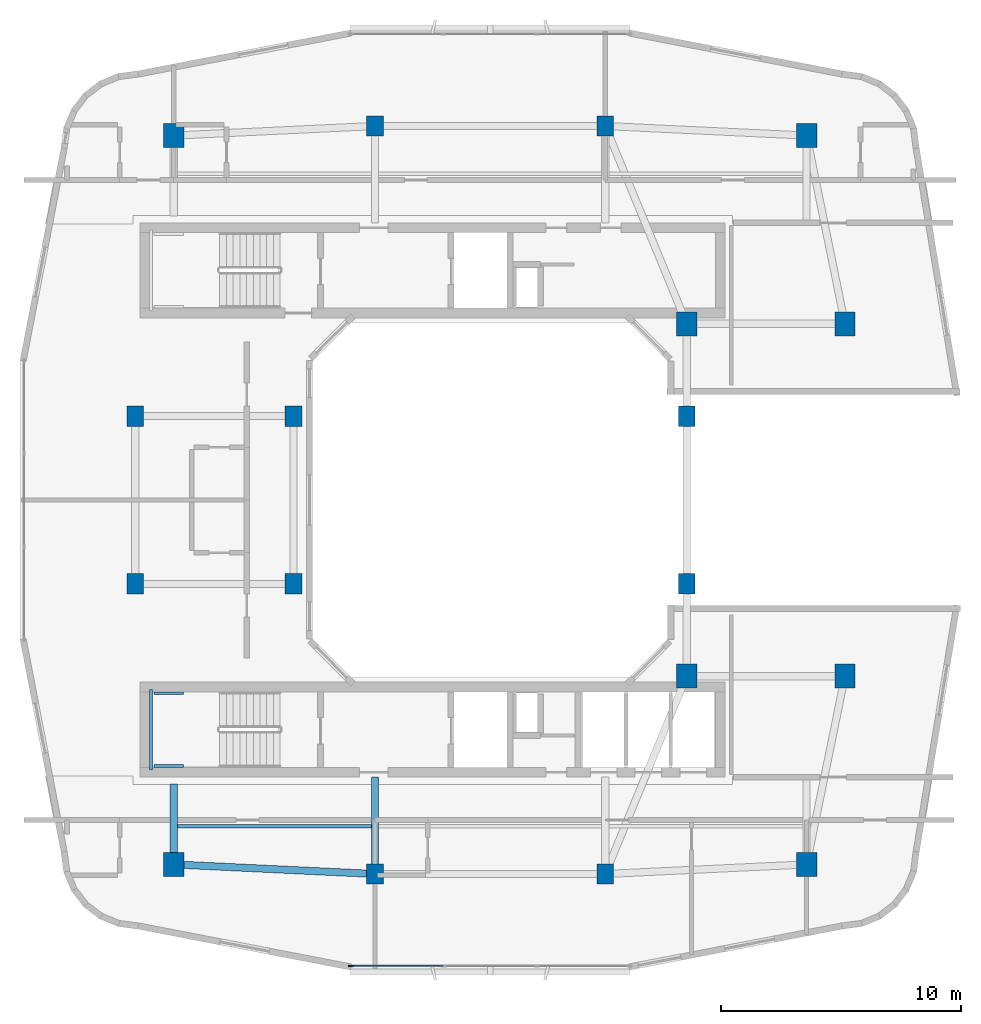
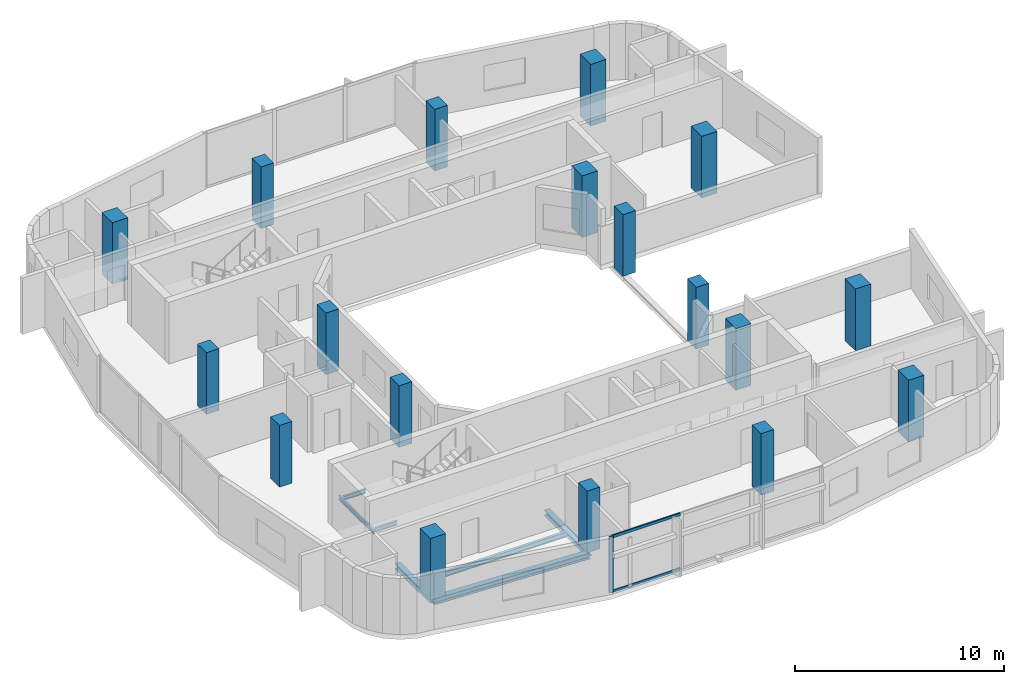
# One storey, part 1 of 12: 18 columns, 7 beams, 3 members, 1 element without a shape of its own.
"""IFC4 building model written with IfcOpenShell, lengths in metres."""

from ifc_helpers import new_model, si_unit, derived_unit, direction, frame, origin, origin_2d, place, context, subcontext, project, spatial, rectangle, i_section, extrude, material, layer, layer_set, material_profile, profile_set, type_object, element, aggregate, save


model = new_model("IFC4")

# Units and contexts
model_context = context("Model", 3, precision=1e-05, world=origin(), true_north=direction((0.0, 1.0)))
body_context = subcontext(model_context, "Body", "Model", "MODEL_VIEW")
ifc_project = project(units=[si_unit("LENGTHUNIT", "METRE"), si_unit("AREAUNIT", "SQUARE_METRE"), si_unit("VOLUMEUNIT", "CUBIC_METRE"), si_unit("PLANEANGLEUNIT", "RADIAN"), si_unit("MASSUNIT", "GRAM", prefix="KILO"), derived_unit("THERMALTRANSMITTANCEUNIT", [(si_unit("POWERUNIT", "WATT"), 1), (si_unit("LENGTHUNIT", "METRE"), -2), (si_unit("THERMODYNAMICTEMPERATUREUNIT", "KELVIN"), -1)])], contexts=[model_context])

# Site, building, storey
site_placement = place(None, origin())
site = spatial("IfcSite", under=ifc_project, at=site_placement, CompositionType="ELEMENT")
building_placement = place(site_placement, origin())
building = spatial("IfcBuilding", under=site, at=building_placement, Name="Kivonza Crest Hotel", CompositionType="ELEMENT")
storey_placement = place(building_placement, frame((0.0, 0.0, 195.5)))
storey = spatial("IfcBuildingStorey", under=building, at=storey_placement, Name="L53", CompositionType="ELEMENT", Elevation=195.5)

# Columns
ifc_material_1 = material(Name="Concrete C50/60", Category="concrete")
ifc_material_profile_1 = material_profile(ifc_material_1, rectangle(XDim=0.85009765625, YDim=1.0, at=origin_2d()), Name="RC 1000x850")
ifc_profile_set_1 = profile_set([ifc_material_profile_1], Name="Concrete C50/60")
column_type_1 = type_object("IfcColumnType", Name="CL-RC-1000x850", PredefinedType="COLUMN", material=ifc_profile_set_1)
for number, where, z_axis, x_axis, name in (
    (1, (7.800048828125, 9.800048828125, 0.0), (0.0, 0.0, 1.0), (1.0, 0.0, 0.0), "Tower T1 L53 column SW"),
    (2, (34.199951171875, 9.800048828125, 0.0), (0.0, 0.0, 1.0), (1.0, 0.0, 0.0), "Tower T1 L53 column SE"),
    (3, (34.199951171875, 40.199951171875, 0.0), (0.0, 0.0, 1.0), (1.0, 0.0, 0.0), "Tower T1 L53 column NE"),
    (4, (7.800048828125, 40.199951171875, 0.0), (0.0, 0.0, 1.0), (1.0, 0.0, 0.0), "Tower T1 L53 column NW"),
    (5, (35.800048828125, 17.64990234375, 0.0), (0.0, 0.0, 1.0), (1.0, 0.0, 0.0), "Tower T1 L53 column PSE"),
    (6, (35.800048828125, 32.35009765625, 0.0), (0.0, 0.0, 1.0), (1.0, 0.0, 0.0), "Tower T1 L53 column PNE"),
    (7, (29.199951171875, 17.64990234375, 0.0), (0.0, 0.0, 1.0), (1.0, 0.0, 0.0), "Tower T1 L53 column TSE"),
    (8, (29.199951171875, 32.35009765625, 0.0), (0.0, 0.0, 1.0), (1.0, 0.0, 0.0), "Tower T1 L53 column TNE"),
):
    element("IfcColumn", number, at=place(storey_placement, frame(where, z_axis=z_axis, x_axis=x_axis)), inside=storey, type_object=column_type_1, Name=name, PredefinedType="COLUMN", context=body_context, shape_type="SweptSolid", body=[
        extrude(rectangle(XDim=0.85009765625, YDim=1.0, at=origin_2d()), origin(), (0.0, 0.0, 1.0), 3.60009765625),
    ])
ifc_material_profile_2 = material_profile(ifc_material_1, rectangle(XDim=0.699951171875, YDim=0.85009765625, at=origin_2d()), Name="RC 850x700")
ifc_profile_set_2 = profile_set([ifc_material_profile_2], Name="Concrete C50/60")
column_type_2 = type_object("IfcColumnType", Name="CL-RC-850x700", PredefinedType="COLUMN", material=ifc_profile_set_2)
for number, where, z_axis, x_axis, name in (
    (9, (16.199951171875, 9.39990234375, 0.0), (0.0, 0.0, 1.0), (1.0, 0.0, 0.0), "Tower T1 L53 column S1"),
    (10, (25.800048828125, 9.39990234375, 0.0), (0.0, 0.0, 1.0), (1.0, 0.0, 0.0), "Tower T1 L53 column S2"),
    (11, (16.199951171875, 40.60009765625, 0.0), (0.0, 0.0, 1.0), (1.0, 0.0, 0.0), "Tower T1 L53 column N1"),
    (12, (25.800048828125, 40.60009765625, 0.0), (0.0, 0.0, 1.0), (1.0, 0.0, 0.0), "Tower T1 L53 column N2"),
    (13, (6.199951171875, 21.5, 0.0), (0.0, 0.0, 1.0), (1.0, 0.0, 0.0), "Tower T1 L53 column W1"),
    (14, (6.199951171875, 28.5, 0.0), (0.0, 0.0, 1.0), (1.0, 0.0, 0.0), "Tower T1 L53 column W2"),
    (15, (12.800048828125, 21.5, 0.0), (0.0, 0.0, 1.0), (1.0, 0.0, 0.0), "Tower T1 L53 column WL1"),
    (16, (12.800048828125, 28.5, 0.0), (0.0, 0.0, 1.0), (1.0, 0.0, 0.0), "Tower T1 L53 column WL2"),
    (17, (29.199951171875, 21.5, 0.0), (0.0, 0.0, 1.0), (1.0, 0.0, 0.0), "Tower T1 L53 column WR1"),
    (18, (29.199951171875, 28.5, 0.0), (0.0, 0.0, 1.0), (1.0, 0.0, 0.0), "Tower T1 L53 column WR2"),
):
    element("IfcColumn", number, at=place(storey_placement, frame(where, z_axis=z_axis, x_axis=x_axis)), inside=storey, type_object=column_type_2, Name=name, PredefinedType="COLUMN", context=body_context, shape_type="SweptSolid", body=[
        extrude(rectangle(XDim=0.699951171875, YDim=0.85009765625, at=origin_2d()), origin(), (0.0, 0.0, 1.0), 3.60009765625),
    ])

# Beams
ifc_material_2 = material(Name="Steel S355", Category="steel")
ifc_material_profile_3 = material_profile(ifc_material_2, i_section(OverallWidth=0.300048828125, OverallDepth=0.300048828125, WebThickness=0.010986328125, FlangeThickness=0.01904296875, FilletRadius=0.027099609375, at=origin_2d()), Name="HEB 300")
ifc_profile_set_3 = profile_set([ifc_material_profile_3], Name="Steel S355")
beam_type_1 = type_object("IfcBeamType", Name="BM-HEB300", PredefinedType="BEAM", material=ifc_profile_set_3)
beam_1_placement = place(storey_placement, frame((7.800048828125, 9.800048828125, -0.429931640625), z_axis=(0.0, 1.0, 0.0), x_axis=(-1.0, 0.0, 0.0)))
element("IfcBeam", 19, at=beam_1_placement, inside=storey, type_object=beam_type_1, Name="Tower T1 L53 radial core girder RSW", PredefinedType="BEAM", context=body_context, shape_type="SweptSolid", body=[
    extrude(i_section(OverallWidth=0.300048828125, OverallDepth=0.300048828125, WebThickness=0.010986328125, FlangeThickness=0.01904296875, FilletRadius=0.027099609375, at=origin_2d()), origin(), (0.0, 0.0, 1.0), 3.349853515625),
])
beam_2_placement = place(storey_placement, frame((16.199951171875, 9.39990234375, -0.429931640625), z_axis=(0.0, 1.0, 0.0), x_axis=(-1.0, 0.0, 0.0)))
element("IfcBeam", 20, at=beam_2_placement, inside=storey, type_object=beam_type_1, Name="Tower T1 L53 radial core girder RS1", PredefinedType="BEAM", context=body_context, shape_type="SweptSolid", body=[
    extrude(i_section(OverallWidth=0.300048828125, OverallDepth=0.300048828125, WebThickness=0.010986328125, FlangeThickness=0.01904296875, FilletRadius=0.027099609375, at=origin_2d()), origin(), (0.0, 0.0, 1.0), 4.050048828125),
])
ifc_material_profile_4 = material_profile(ifc_material_2, i_section(OverallWidth=0.300048828125, OverallDepth=0.360107421875, WebThickness=0.012451171875, FlangeThickness=0.0224609375, FilletRadius=0.027099609375, at=origin_2d()), Name="HEB 360")
ifc_profile_set_4 = profile_set([ifc_material_profile_4], Name="Steel S355")
beam_type_2 = type_object("IfcBeamType", Name="BM-HEB360", PredefinedType="SPANDREL", material=ifc_profile_set_4)
beam_3_placement = place(storey_placement, frame((7.800048828125, 9.800048828125, -0.4599609375), z_axis=(0.998867283688, -0.047583080799, 0.0), x_axis=(0.047583080799, 0.998867283688, 0.0)))
element("IfcBeam", 21, at=beam_3_placement, inside=storey, type_object=beam_type_2, Name="Tower T1 L53 perimeter spandrel SW-S1", PredefinedType="SPANDREL", context=body_context, shape_type="SweptSolid", body=[
    extrude(i_section(OverallWidth=0.300048828125, OverallDepth=0.360107421875, WebThickness=0.012451171875, FlangeThickness=0.0224609375, FilletRadius=0.027099609375, at=origin_2d()), origin(), (0.0, 0.0, 1.0), 8.409423828125),
])
ifc_material_profile_5 = material_profile(ifc_material_2, i_section(OverallWidth=0.14990234375, OverallDepth=0.300048828125, WebThickness=0.007080078125, FlangeThickness=0.0107421875, FilletRadius=0.014892578125, at=origin_2d()), Name="IPE 300")
ifc_profile_set_5 = profile_set([ifc_material_profile_5], Name="Steel S355")
beam_type_3 = type_object("IfcBeamType", Name="BM-IPE300", PredefinedType="JOIST", material=ifc_profile_set_5)
beam_4_placement = place(storey_placement, frame((7.8798828125, 11.39990234375, -0.429931640625), z_axis=(1.0, 0.0, 0.0), x_axis=(0.0, 1.0, 0.0)))
element("IfcBeam", 22, at=beam_4_placement, inside=storey, type_object=beam_type_3, Name="Tower T1 L53 South-West floor joist", PredefinedType="JOIST", context=body_context, shape_type="SweptSolid", body=[
    extrude(i_section(OverallWidth=0.14990234375, OverallDepth=0.300048828125, WebThickness=0.007080078125, FlangeThickness=0.0107421875, FilletRadius=0.014892578125, at=origin_2d()), origin(), (0.0, 0.0, 1.0), 8.240234375),
])
ifc_material_profile_6 = material_profile(ifc_material_2, i_section(OverallWidth=0.1201171875, OverallDepth=0.239990234375, WebThickness=0.006103515625, FlangeThickness=0.009765625, FilletRadius=0.014892578125, at=origin_2d()), Name="IPE 240")
ifc_profile_set_6 = profile_set([ifc_material_profile_6], Name="Steel S355")
beam_type_4 = type_object("IfcBeamType", Name="BM-LLDG-240", PredefinedType="BEAM", material=ifc_profile_set_6)
beam_5_placement = place(storey_placement, frame((6.860107421875, 13.739990234375, 1.47998046875), z_axis=(0.0, 1.0, 0.0), x_axis=(-1.0, 0.0, 0.0)))
element("IfcBeam", 23, at=beam_5_placement, inside=storey, type_object=beam_type_4, Name="Stair ST-T1-S L53 West landing corbel", PredefinedType="BEAM", context=body_context, shape_type="SweptSolid", body=[
    extrude(i_section(OverallWidth=0.1201171875, OverallDepth=0.239990234375, WebThickness=0.006103515625, FlangeThickness=0.009765625, FilletRadius=0.014892578125, at=origin_2d()), origin(), (0.0, 0.0, 1.0), 3.360107421875),
])
for number, where, z_axis, x_axis, name in (
    (24, (6.989990234375, 13.89990234375, 1.47998046875), (1.0, 0.0, 0.0), (0.0, 1.0, 0.0), "Stair ST-T1-S L53 South landing corbel"),
    (25, (6.989990234375, 16.93994140625, 1.47998046875), (1.0, 0.0, 0.0), (0.0, 1.0, 0.0), "Stair ST-T1-S L53 North landing corbel"),
):
    element("IfcBeam", number, at=place(storey_placement, frame(where, z_axis=z_axis, x_axis=x_axis)), inside=storey, type_object=beam_type_4, Name=name, PredefinedType="BEAM", context=body_context, shape_type="SweptSolid", body=[
        extrude(i_section(OverallWidth=0.1201171875, OverallDepth=0.239990234375, WebThickness=0.006103515625, FlangeThickness=0.009765625, FilletRadius=0.014892578125, at=origin_2d()), origin(), (0.0, 0.0, 1.0), 1.2099609375),
    ])

# Curtain wall, members
ifc_material_3 = material(Name="Anodised bronze aluminium and low-E double glazing", Category="aluminium")
ifc_layer = layer(ifc_material_3, 0.179931640625)
ifc_layer_set = layer_set([ifc_layer], Name="Anodised bronze aluminium and low-E double glazing")
curtain_wall_type = type_object("IfcCurtainWallType", Name="CW-SYS-3", PredefinedType="NOTDEFINED", material=ifc_layer_set)
curtain_wall_placement = place(storey_placement, origin())
curtain_wall = element("IfcCurtainWall", 26, at=curtain_wall_placement, inside=storey, type_object=curtain_wall_type, Name="L53 unitised curtain wall CW-T1-L53-08", PredefinedType="NOTDEFINED")
ifc_material_4 = material(Name="Anodised bronze aluminium", Category="aluminium")
ifc_material_profile_7 = material_profile(ifc_material_4, rectangle(XDim=0.074951171875, YDim=0.219970703125, at=origin_2d()), Name="CW-M 75x220")
ifc_profile_set_7 = profile_set([ifc_material_profile_7], Name="Anodised bronze aluminium")
member_type_1 = type_object("IfcMemberType", Name="CW-MUL-75x220", PredefinedType="MULLION", material=ifc_profile_set_7)
member_1_placement = place(storey_placement, frame((15.197509765625, 5.56005859375, 0.0), z_axis=(0.0, 0.0, 1.0), x_axis=(0.0, 1.0, 0.0)))
member_1 = element("IfcMember", 27, at=member_1_placement, type_object=member_type_1, Name="CW-3 mullion 1", PredefinedType="MULLION", context=body_context, shape_type="SweptSolid", body=[
    extrude(rectangle(XDim=0.074951171875, YDim=0.219970703125, at=origin_2d()), origin(), (0.0, 0.0, 1.0), 3.280029296875),
])
ifc_material_profile_8 = material_profile(ifc_material_4, rectangle(XDim=0.074951171875, YDim=0.159912109375, at=origin_2d()), Name="CW-T 75x160")
ifc_profile_set_8 = profile_set([ifc_material_profile_8], Name="Anodised bronze aluminium")
member_type_2 = type_object("IfcMemberType", Name="CW-TRN-75x160", PredefinedType="USERDEFINED", material=ifc_profile_set_8)
member_2_placement = place(storey_placement, frame((15.235107421875, 5.56005859375, 0.03759765625), z_axis=(1.0, 0.0, 0.0), x_axis=(0.0, 1.0, 0.0)))
member_2 = element("IfcMember", 28, at=member_2_placement, type_object=member_type_2, Name="CW-3 transom 1.1", ObjectType="TRANSOM", PredefinedType="USERDEFINED", context=body_context, shape_type="SweptSolid", body=[
    extrude(rectangle(XDim=0.074951171875, YDim=0.159912109375, at=origin_2d()), origin(), (0.0, 0.0, 1.0), 3.78076171875),
])
member_3_placement = place(storey_placement, frame((15.235107421875, 5.56005859375, 3.242431640625), z_axis=(1.0, 0.0, 0.0), x_axis=(0.0, 1.0, 0.0)))
member_3 = element("IfcMember", 29, at=member_3_placement, type_object=member_type_2, Name="CW-3 transom 1.2", ObjectType="TRANSOM", PredefinedType="USERDEFINED", context=body_context, shape_type="SweptSolid", body=[
    extrude(rectangle(XDim=0.074951171875, YDim=0.159912109375, at=origin_2d()), origin(), (0.0, 0.0, 1.0), 3.78076171875),
])
aggregate(curtain_wall, [member_1, member_2, member_3])

save(model, "model.ifc")
